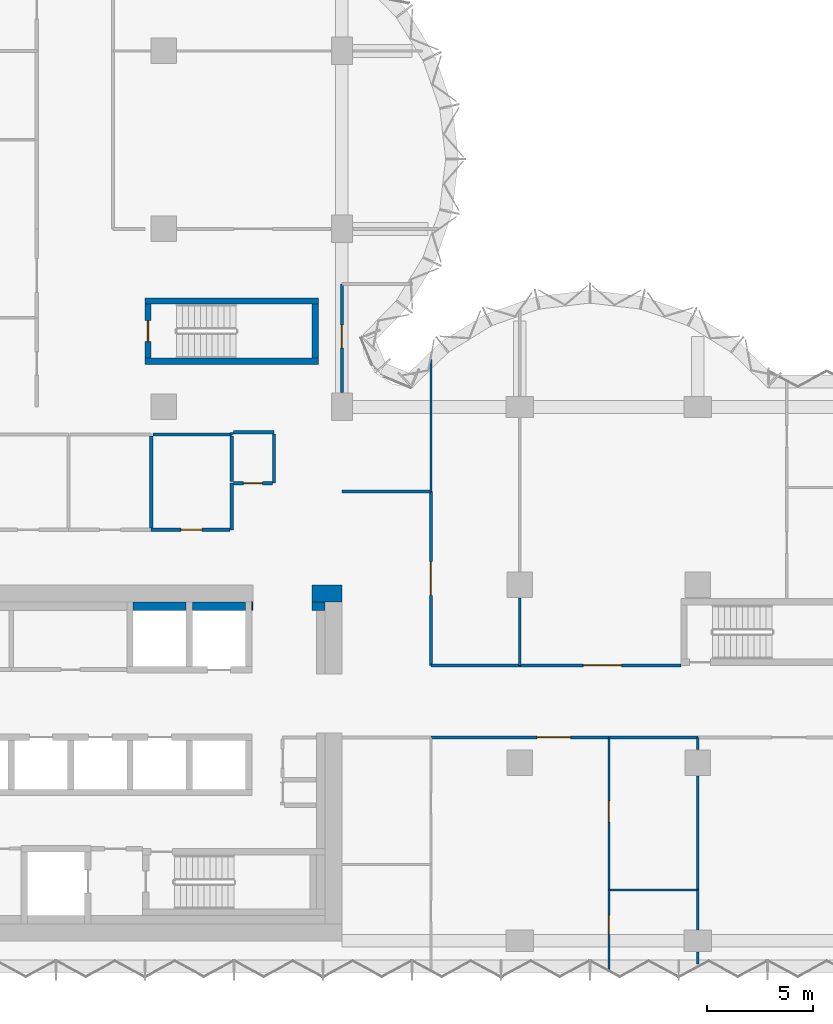
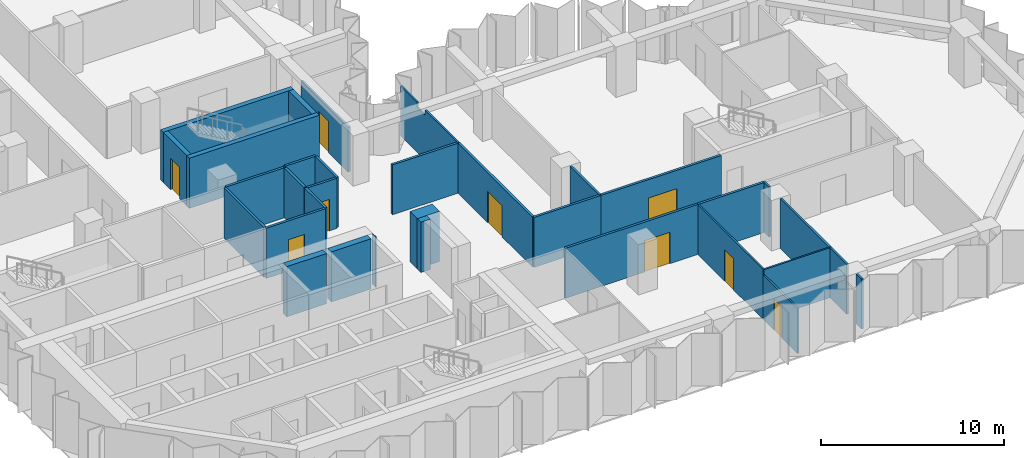
# One storey, part 7 of 11: 34 walls, 9 doors, 9 openings.
"""IFC4 building model written with IfcOpenShell, lengths in metres."""

from ifc_helpers import new_model, si_unit, direction, frame, frame_2d, origin, place, context, subcontext, project, spatial, polyline, rectangle, outline, extrude, material, layer, layer_set, type_object, element, fill, save


model = new_model("IFC4")

# Units and contexts
model_context = context("Model", 3, precision=1e-05, world=origin(), true_north=direction((0.0, 1.0)))
body_context = subcontext(model_context, "Body", "Model", "MODEL_VIEW")
ifc_project = project(units=[si_unit("LENGTHUNIT", "METRE"), si_unit("AREAUNIT", "SQUARE_METRE"), si_unit("VOLUMEUNIT", "CUBIC_METRE"), si_unit("PLANEANGLEUNIT", "RADIAN"), si_unit("MASSUNIT", "GRAM", prefix="KILO")], contexts=[model_context])

# Site, building, storey
site_placement = place(None, origin())
site = spatial("IfcSite", under=ifc_project, at=site_placement, CompositionType="ELEMENT")
building_placement = place(site_placement, origin())
building = spatial("IfcBuilding", under=site, at=building_placement, Name="Brevane Broadcast Tower", CompositionType="ELEMENT")
storey_placement = place(building_placement, frame((0.0, 0.0, 138.5)))
storey = spatial("IfcBuildingStorey", under=building, at=storey_placement, Name="L34", CompositionType="ELEMENT", Elevation=138.5)

# Walls
ifc_material_1 = material(Name="Concrete C32/40", Category="concrete")
ifc_layer_1 = layer(ifc_material_1, 0.39990234375)
ifc_layer_set_1 = layer_set([ifc_layer_1], Name="Core chase wall 400 mm")
wall_type_1 = type_object("IfcWallType", Name="Core chase wall 400 mm", PredefinedType="PARTITIONING", material=ifc_layer_set_1)
wall_1_placement = place(storey_placement, frame((23.800048828125, 15.800048828125, 0.0), z_axis=(0.0, 0.0, 1.0), x_axis=(1.0, 0.0, 0.0)))
element("IfcWall", 1, at=wall_1_placement, inside=storey, type_object=wall_type_1, Name="L34 chase wall LN2", PredefinedType="PARTITIONING", context=body_context, shape_type="SweptSolid", body=[
    extrude(rectangle(XDim=0.599853515625, YDim=0.39990234375, at=frame_2d((0.2998046875, 0.0))), origin(), (0.0, 0.0, 1.0), 3.35009765625),
])
for number, where, z_axis, x_axis, name in (
    (2, (15.35009765625, 15.800048828125, 0.0), (0.0, 0.0, 1.0), (1.0, 0.0, 0.0), "L34 chase wall LN1-2-2-1"),
    (3, (18.14990234375, 15.800048828125, 0.0), (0.0, 0.0, 1.0), (1.0, 0.0, 0.0), "L34 chase wall LN1-2-2-2-1"),
):
    element("IfcWall", number, at=place(storey_placement, frame(where, z_axis=z_axis, x_axis=x_axis)), inside=storey, type_object=wall_type_1, Name=name, PredefinedType="PARTITIONING", context=body_context, shape_type="SweptSolid", body=[
        extrude(rectangle(XDim=2.5, YDim=0.39990234375, at=frame_2d((1.25, 0.0))), origin(), (0.0, 0.0, 1.0), 3.35009765625),
    ])
wall_2_placement = place(storey_placement, frame((20.949951171875, 15.800048828125, 0.0), z_axis=(0.0, 0.0, 1.0), x_axis=(1.0, 0.0, 0.0)))
element("IfcWall", 4, at=wall_2_placement, inside=storey, type_object=wall_type_1, Name="L34 chase wall LN1-2-2-2-2", PredefinedType="PARTITIONING", context=body_context, shape_type="SweptSolid", body=[
    extrude(rectangle(XDim=0.050048828125, YDim=0.39990234375, at=frame_2d((0.02490234375, 0.0))), origin(), (0.0, 0.0, 1.0), 3.35009765625),
])
ifc_material_2 = material(Name="Gypsum board on steel studs", Category="steel")
ifc_layer_2 = layer(ifc_material_2, 0.14990234375)
ifc_layer_set_2 = layer_set([ifc_layer_2], Name="Core fire partition 150 mm")
wall_type_2 = type_object("IfcWallType", Name="Core fire partition 150 mm", PredefinedType="PARTITIONING", material=ifc_layer_set_2)
wall_3_placement = place(storey_placement, frame((20.0, 21.60009765625, 0.0), z_axis=(0.0, 0.0, 1.0), x_axis=(0.0, -1.0, 0.0)))
element("IfcWall", 5, at=wall_3_placement, inside=storey, type_object=wall_type_2, Name="L34 partition wall P22", PredefinedType="PARTITIONING", context=body_context, shape_type="SweptSolid", body=[
    extrude(rectangle(XDim=2.2001953125, YDim=0.14990234375, at=frame_2d((1.10009765625, 0.0))), origin(), (0.0, 0.0, 1.0), 3.35009765625),
])

# Wall, opening, door
wall_4_placement = place(storey_placement, frame((19.925048828125, 19.39990234375, 0.0), z_axis=(0.0, 0.0, 1.0), x_axis=(-1.0, 0.0, 0.0)))
wall_4 = element("IfcWall", 6, at=wall_4_placement, inside=storey, type_object=wall_type_2, Name="L34 partition wall P23", PredefinedType="PARTITIONING", context=body_context, shape_type="SweptSolid", body=[
    extrude(rectangle(XDim=3.72509765625, YDim=0.14990234375, at=frame_2d((1.862548828125, 0.0))), origin(), (0.0, 0.0, 1.0), 3.35009765625),
])
opening_1_placement = place(wall_4_placement, frame((1.324951171875, 0.0, 0.0)))
opening_1 = element("IfcOpeningElement", 7, at=opening_1_placement, cuts=wall_4, Name="Opening L34-K27", PredefinedType="OPENING", context=body_context, shape_type="SweptSolid", body=[
    extrude(rectangle(XDim=1.0, YDim=2.10009765625, at=frame_2d((0.5, 1.050048828125))), frame((0.0, 0.0849609375, 0.0), z_axis=(0.0, -1.0, 0.0), x_axis=(1.0, 0.0, 0.0)), (0.0, 0.0, 1.0), 0.169921875),
])
ifc_material_3 = material(Name="Steel", Category="steel")
door_type_1 = type_object("IfcDoorType", Name="Service room door 1000 x 2100", OperationType="SINGLE_SWING_LEFT", PredefinedType="DOOR", material=ifc_material_3)
door_1_placement = place(opening_1_placement, origin())
door_1 = element("IfcDoor", 8, at=door_1_placement, inside=storey, type_object=door_type_1, Name="Door L34-K27", OperationType="SINGLE_SWING_LEFT", OverallHeight=2.10009765625, OverallWidth=1.0, PredefinedType="DOOR", context=body_context, shape_type="SweptSolid", body=[
    extrude(rectangle(XDim=1.0, YDim=2.10009765625, at=frame_2d((0.5, 1.050048828125))), frame((0.0, 0.02490234375, 0.0), z_axis=(0.0, -1.0, 0.0), x_axis=(1.0, 0.0, 0.0)), (0.0, 0.0, 1.0), 0.050048828125),
])
fill(opening_1, door_1)

# Walls
wall_5_placement = place(storey_placement, frame((16.199951171875, 23.824951171875, 0.0), z_axis=(0.0, 0.0, 1.0), x_axis=(0.0, -1.0, 0.0)))
element("IfcWall", 9, at=wall_5_placement, inside=storey, type_object=wall_type_2, Name="L34 partition wall P24", PredefinedType="PARTITIONING", context=body_context, shape_type="SweptSolid", body=[
    extrude(rectangle(XDim=4.349853515625, YDim=0.14990234375, at=frame_2d((2.1748046875, 0.0))), origin(), (0.0, 0.0, 1.0), 3.35009765625),
])
wall_6_placement = place(storey_placement, frame((16.27490234375, 23.89990234375, 0.0), z_axis=(0.0, 0.0, 1.0), x_axis=(1.0, 0.0, 0.0)))
element("IfcWall", 10, at=wall_6_placement, inside=storey, type_object=wall_type_2, Name="L34 partition wall P25", PredefinedType="PARTITIONING", context=body_context, shape_type="SweptSolid", body=[
    extrude(rectangle(XDim=3.72509765625, YDim=0.14990234375, at=frame_2d((1.862548828125, 0.0))), origin(), (0.0, 0.0, 1.0), 3.35009765625),
])
wall_7_placement = place(storey_placement, frame((20.0, 23.89990234375, 0.0), z_axis=(0.0, 0.0, 1.0), x_axis=(0.0, 1.0, 0.0)))
element("IfcWall", 11, at=wall_7_placement, inside=storey, type_object=wall_type_2, Name="L34 partition wall P26", PredefinedType="PARTITIONING", context=body_context, shape_type="SweptSolid", body=[
    extrude(rectangle(XDim=0.10009765625, YDim=0.14990234375, at=frame_2d((0.050048828125, 0.0))), origin(), (0.0, 0.0, 1.0), 3.35009765625),
])
wall_8_placement = place(storey_placement, frame((20.074951171875, 24.0, 0.0), z_axis=(0.0, 0.0, 1.0), x_axis=(1.0, 0.0, 0.0)))
element("IfcWall", 12, at=wall_8_placement, inside=storey, type_object=wall_type_2, Name="L34 partition wall P27", PredefinedType="PARTITIONING", context=body_context, shape_type="SweptSolid", body=[
    extrude(rectangle(XDim=1.925048828125, YDim=0.14990234375, at=frame_2d((0.96240234375, 0.0))), origin(), (0.0, 0.0, 1.0), 3.35009765625),
])
wall_9_placement = place(storey_placement, frame((22.0, 23.925048828125, 0.0), z_axis=(0.0, 0.0, 1.0), x_axis=(0.0, -1.0, 0.0)))
element("IfcWall", 13, at=wall_9_placement, inside=storey, type_object=wall_type_2, Name="L34 partition wall P28", PredefinedType="PARTITIONING", context=body_context, shape_type="SweptSolid", body=[
    extrude(rectangle(XDim=2.324951171875, YDim=0.14990234375, at=frame_2d((1.16259765625, 0.0))), origin(), (0.0, 0.0, 1.0), 3.35009765625),
])

# Wall, opening, door
wall_10_placement = place(storey_placement, frame((21.925048828125, 21.60009765625, 0.0), z_axis=(0.0, 0.0, 1.0), x_axis=(-1.0, 0.0, 0.0)))
wall_10 = element("IfcWall", 14, at=wall_10_placement, inside=storey, type_object=wall_type_2, Name="L34 partition wall P29", PredefinedType="PARTITIONING", context=body_context, shape_type="SweptSolid", body=[
    extrude(rectangle(XDim=1.85009765625, YDim=0.14990234375, at=frame_2d((0.925048828125, 0.0))), origin(), (0.0, 0.0, 1.0), 3.35009765625),
])
opening_2_placement = place(wall_10_placement, frame((0.47509765625, 0.0, 0.0)))
opening_2 = element("IfcOpeningElement", 15, at=opening_2_placement, cuts=wall_10, Name="Opening L34-K24", PredefinedType="OPENING", context=body_context, shape_type="SweptSolid", body=[
    extrude(rectangle(XDim=0.89990234375, YDim=2.10009765625, at=frame_2d((0.449951171875, 1.050048828125))), frame((0.0, 0.0849609375, 0.0), z_axis=(0.0, -1.0, 0.0), x_axis=(1.0, 0.0, 0.0)), (0.0, 0.0, 1.0), 0.169921875),
])
ifc_material_4 = material(Name="Timber", Category="wood")
door_type_2 = type_object("IfcDoorType", Name="Toilet door 900 x 2100", OperationType="SINGLE_SWING_LEFT", PredefinedType="DOOR", material=ifc_material_4)
door_2_placement = place(opening_2_placement, origin())
door_2 = element("IfcDoor", 16, at=door_2_placement, inside=storey, type_object=door_type_2, Name="Door L34-K24", OperationType="SINGLE_SWING_RIGHT", OverallHeight=2.10009765625, OverallWidth=0.89990234375, PredefinedType="DOOR", context=body_context, shape_type="SweptSolid", body=[
    extrude(rectangle(XDim=0.89990234375, YDim=2.10009765625, at=frame_2d((0.449951171875, 1.050048828125))), frame((0.0, 0.02490234375, 0.0), z_axis=(0.0, -1.0, 0.0), x_axis=(1.0, 0.0, 0.0)), (0.0, 0.0, 1.0), 0.050048828125),
])
fill(opening_2, door_2)

# Walls
wall_11_placement = place(storey_placement, frame((20.0, 21.675048828125, 0.0), z_axis=(0.0, 0.0, 1.0), x_axis=(0.0, 1.0, 0.0)))
element("IfcWall", 17, at=wall_11_placement, inside=storey, type_object=wall_type_2, Name="L34 partition wall P30", PredefinedType="PARTITIONING", context=body_context, shape_type="SweptSolid", body=[
    extrude(rectangle(XDim=2.14990234375, YDim=0.14990234375, at=frame_2d((1.074951171875, 0.0))), origin(), (0.0, 0.0, 1.0), 3.35009765625),
])
ifc_material_5 = material(Name="Concrete C60/75", Category="concrete")
ifc_layer_3 = layer(ifc_material_5, 0.300048828125)
ifc_layer_set_3 = layer_set([ifc_layer_3], Name="Core wall 300 mm C60/75")
wall_type_3 = type_object("IfcWallType", Name="Core wall 300 mm C60/75", PredefinedType="SHEAR", material=ifc_layer_set_3)
for number, where, z_axis, x_axis, name in (
    (18, (15.89990234375, 27.35009765625, 0.0), (0.0, 0.0, 1.0), (1.0, 0.0, 0.0), "L34 stair wall ST-3-S"),
    (19, (15.89990234375, 30.199951171875, 0.0), (0.0, 0.0, 1.0), (1.0, 0.0, 0.0), "L34 stair wall ST-3-N"),
):
    element("IfcWall", number, at=place(storey_placement, frame(where, z_axis=z_axis, x_axis=x_axis)), inside=storey, type_object=wall_type_3, Name=name, PredefinedType="SHEAR", context=body_context, shape_type="SweptSolid", body=[
        extrude(rectangle(XDim=8.2001953125, YDim=0.300048828125, at=frame_2d((4.10009765625, 0.0))), origin(), (0.0, 0.0, 1.0), 3.35009765625),
    ])

# Wall, opening, door
wall_12_placement = place(storey_placement, frame((16.050048828125, 27.5, 0.0), z_axis=(0.0, 0.0, 1.0), x_axis=(0.0, 1.0, 0.0)))
wall_12 = element("IfcWall", 20, at=wall_12_placement, inside=storey, type_object=wall_type_3, Name="L34 stair wall ST-3-W", PredefinedType="SHEAR", context=body_context, shape_type="SweptSolid", body=[
    extrude(rectangle(XDim=2.550048828125, YDim=0.300048828125, at=frame_2d((1.27490234375, 0.0))), origin(), (0.0, 0.0, 1.0), 3.35009765625),
])
opening_3_placement = place(wall_12_placement, frame((0.77490234375, 0.0, 0.0)))
opening_3 = element("IfcOpeningElement", 21, at=opening_3_placement, cuts=wall_12, Name="Opening L34-K14", PredefinedType="OPENING", context=body_context, shape_type="SweptSolid", body=[
    extrude(rectangle(XDim=1.0, YDim=2.10009765625, at=frame_2d((0.5, 1.050048828125))), frame((0.0, 0.159912109375, 0.0), z_axis=(0.0, -1.0, 0.0), x_axis=(1.0, 0.0, 0.0)), (0.0, 0.0, 1.0), 0.320068359375),
])
door_type_3 = type_object("IfcDoorType", Name="Stair door 1000 x 2100", OperationType="SINGLE_SWING_LEFT", PredefinedType="DOOR", material=ifc_material_3)
door_3_placement = place(opening_3_placement, origin())
door_3 = element("IfcDoor", 22, at=door_3_placement, inside=storey, type_object=door_type_3, Name="Door L34-K14", OperationType="SINGLE_SWING_RIGHT", OverallHeight=2.10009765625, OverallWidth=1.0, PredefinedType="DOOR", context=body_context, shape_type="SweptSolid", body=[
    extrude(rectangle(XDim=1.0, YDim=2.10009765625, at=frame_2d((0.5, 1.050048828125))), frame((0.0, 0.02490234375, 0.0), z_axis=(0.0, -1.0, 0.0), x_axis=(1.0, 0.0, 0.0)), (0.0, 0.0, 1.0), 0.050048828125),
])
fill(opening_3, door_3)

# Walls
wall_13_placement = place(storey_placement, frame((23.949951171875, 27.5, 0.0), z_axis=(0.0, 0.0, 1.0), x_axis=(0.0, 1.0, 0.0)))
element("IfcWall", 23, at=wall_13_placement, inside=storey, type_object=wall_type_3, Name="L34 stair wall ST-3-E", PredefinedType="SHEAR", context=body_context, shape_type="SweptSolid", body=[
    extrude(rectangle(XDim=2.550048828125, YDim=0.300048828125, at=frame_2d((1.27490234375, 0.0))), origin(), (0.0, 0.0, 1.0), 3.35009765625),
])
ifc_layer_4 = layer(ifc_material_5, 0.800048828125)
ifc_layer_set_4 = layer_set([ifc_layer_4], Name="Core wall 800 mm C60/75")
wall_type_4 = type_object("IfcWallType", Name="Core wall 800 mm C60/75", PredefinedType="SHEAR", material=ifc_layer_set_4)
wall_14_placement = place(storey_placement, frame((23.800048828125, 16.39990234375, 0.0), z_axis=(0.0, 0.0, 1.0), x_axis=(1.0, 0.0, 0.0)))
element("IfcWall", 24, at=wall_14_placement, inside=storey, type_object=wall_type_4, Name="L34 outer wall WN2", PredefinedType="SHEAR", context=body_context, shape_type="SweptSolid", body=[
    extrude(rectangle(XDim=1.39990234375, YDim=0.800048828125, at=frame_2d((0.699951171875, 0.0))), origin(), (0.0, 0.0, 1.0), 3.35009765625),
])
ifc_material_6 = material(Name="Gypsum board partition")
ifc_layer_5 = layer(ifc_material_6, 0.10009765625)
ifc_layer_set_5 = layer_set([ifc_layer_5], Name="PARTITION 100 STUD")
wall_type_5 = type_object("IfcWallType", Name="PARTITION 100 STUD", PredefinedType="PARTITIONING", material=ifc_layer_set_5)
wall_15_placement = place(storey_placement, frame((29.39990234375, 27.428955078125, 0.0), z_axis=(0.0, 0.0, 1.0), x_axis=(0.0, -1.0, 0.0)))
element("IfcWall", 25, at=wall_15_placement, inside=storey, type_object=wall_type_5, Name="Partition G10-004", PredefinedType="PARTITIONING", context=body_context, shape_type="SweptSolid", body=[
    extrude(outline(polyline([(0.0, 0.0), (6.22900390625, 0.0), (6.22900390625, 3.330078125), (2.678955078125, 3.330078125), (2.677001953125, 2.97998046875), (1.781005859375, 2.97998046875), (1.779052734375, 3.330078125), (0.154052734375, 3.330078125), (0.0, 3.330078125), (0.0, 0.0)])), frame((0.0, 0.050048828125, 0.0), z_axis=(0.0, -1.0, 0.0), x_axis=(1.0, 0.0, 0.0)), (0.0, 0.0, 1.0), 0.10009765625),
])

# Wall, opening, door
wall_16_placement = place(storey_placement, frame((37.800048828125, 2.39990234375, 0.0), z_axis=(0.0, 0.0, 1.0), x_axis=(0.0, -1.0, 0.0)))
wall_16 = element("IfcWall", 26, at=wall_16_placement, inside=storey, type_object=wall_type_5, Name="Partition G10-021", PredefinedType="PARTITIONING", context=body_context, shape_type="SweptSolid", body=[
    extrude(rectangle(XDim=3.764892578125, YDim=0.10009765625, at=frame_2d((1.88232421875, 0.0))), origin(), (0.0, 0.0, 1.0), 2.97998046875),
])
opening_4_placement = place(wall_16_placement, frame((1.199951171875, 0.0, 0.0)))
opening_4 = element("IfcOpeningElement", 27, at=opening_4_placement, cuts=wall_16, Name="Opening D17-004", PredefinedType="OPENING", context=body_context, shape_type="SweptSolid", body=[
    extrude(rectangle(XDim=0.89990234375, YDim=2.10009765625, at=frame_2d((0.449951171875, 1.050048828125))), frame((0.0, 0.06005859375, 0.0), z_axis=(0.0, -1.0, 0.0), x_axis=(1.0, 0.0, 0.0)), (0.0, 0.0, 1.0), 0.1201171875),
])
ifc_material_7 = material(Name="Timber door leaf", Category="wood")
door_type_4 = type_object("IfcDoorType", Name="DOOR SINGLE 900 INTERNAL", OperationType="SINGLE_SWING_LEFT", PredefinedType="DOOR", material=ifc_material_7)
door_4_placement = place(opening_4_placement, origin())
door_4 = element("IfcDoor", 28, at=door_4_placement, inside=storey, type_object=door_type_4, Name="Door D17-004", OperationType="SINGLE_SWING_LEFT", OverallHeight=2.10009765625, OverallWidth=0.89990234375, PredefinedType="DOOR", context=body_context, shape_type="SweptSolid", body=[
    extrude(rectangle(XDim=0.89990234375, YDim=2.10009765625, at=frame_2d((0.449951171875, 1.050048828125))), frame((0.0, 0.02490234375, 0.0), z_axis=(0.0, -1.0, 0.0), x_axis=(1.0, 0.0, 0.0)), (0.0, 0.0, 1.0), 0.050048828125),
])
fill(opening_4, door_4)

wall_17_placement = place(storey_placement, frame((37.800048828125, 9.60009765625, 0.0), z_axis=(0.0, 0.0, 1.0), x_axis=(0.0, -1.0, 0.0)))
wall_17 = element("IfcWall", 29, at=wall_17_placement, inside=storey, type_object=wall_type_5, Name="Partition G10-022", PredefinedType="PARTITIONING", context=body_context, shape_type="SweptSolid", body=[
    extrude(rectangle(XDim=7.2001953125, YDim=0.10009765625, at=frame_2d((3.60009765625, 0.0))), origin(), (0.0, 0.0, 1.0), 3.330078125),
])
opening_5_placement = place(wall_17_placement, frame((3.0, 0.0, 0.0)))
opening_5 = element("IfcOpeningElement", 30, at=opening_5_placement, cuts=wall_17, Name="Opening D17-005", PredefinedType="OPENING", context=body_context, shape_type="SweptSolid", body=[
    extrude(rectangle(XDim=1.0, YDim=2.10009765625, at=frame_2d((0.5, 1.050048828125))), frame((0.0, 0.06005859375, 0.0), z_axis=(0.0, -1.0, 0.0), x_axis=(1.0, 0.0, 0.0)), (0.0, 0.0, 1.0), 0.1201171875),
])
door_type_5 = type_object("IfcDoorType", Name="DOOR SINGLE 1000 INTERNAL", OperationType="SINGLE_SWING_LEFT", PredefinedType="DOOR", material=ifc_material_7)
door_5_placement = place(opening_5_placement, origin())
door_5 = element("IfcDoor", 31, at=door_5_placement, inside=storey, type_object=door_type_5, Name="Door D17-005", OperationType="SINGLE_SWING_LEFT", OverallHeight=2.10009765625, OverallWidth=1.0, PredefinedType="DOOR", context=body_context, shape_type="SweptSolid", body=[
    extrude(rectangle(XDim=1.0, YDim=2.10009765625, at=frame_2d((0.5, 1.050048828125))), frame((0.0, 0.02490234375, 0.0), z_axis=(0.0, -1.0, 0.0), x_axis=(1.0, 0.0, 0.0)), (0.0, 0.0, 1.0), 0.050048828125),
])
fill(opening_5, door_5)

# Walls
wall_18_placement = place(storey_placement, frame((37.800048828125, 2.39990234375, 0.0), z_axis=(0.0, 0.0, 1.0), x_axis=(1.0, 0.0, 0.0)))
element("IfcWall", 32, at=wall_18_placement, inside=storey, type_object=wall_type_5, Name="Partition G10-025", PredefinedType="PARTITIONING", context=body_context, shape_type="SweptSolid", body=[
    extrude(rectangle(XDim=4.199951171875, YDim=0.10009765625, at=frame_2d((2.10009765625, 0.0))), origin(), (0.0, 0.0, 1.0), 3.330078125),
])
ifc_layer_6 = layer(ifc_material_6, 0.125)
ifc_layer_set_6 = layer_set([ifc_layer_6], Name="PARTITION 125 ACOUSTIC")
wall_type_6 = type_object("IfcWallType", Name="PARTITION 125 ACOUSTIC", PredefinedType="PARTITIONING", material=ifc_layer_set_6)
wall_19_placement = place(storey_placement, frame((42.0, 2.39990234375, 0.0), z_axis=(0.0, 0.0, 1.0), x_axis=(0.0, -1.0, 0.0)))
element("IfcWall", 33, at=wall_19_placement, inside=storey, type_object=wall_type_6, Name="Partition G10-026", PredefinedType="PARTITIONING", context=body_context, shape_type="SweptSolid", body=[
    extrude(rectangle(XDim=1.8798828125, YDim=0.125, at=frame_2d((0.93994140625, 0.0))), origin(), (0.0, 0.0, 1.0), 3.330078125),
])
for number, where, z_axis, x_axis, name in (
    (34, (42.0, -0.52001953125, 0.0), (0.0, 0.0, 1.0), (0.0, -1.0, 0.0), "Partition G10-027"),
    (35, (42.0, 9.60009765625, 0.0), (0.0, 0.0, 1.0), (0.0, -1.0, 0.0), "Partition G10-028"),
):
    element("IfcWall", number, at=place(storey_placement, frame(where, z_axis=z_axis, x_axis=x_axis)), inside=storey, type_object=wall_type_6, Name=name, PredefinedType="PARTITIONING", context=body_context, shape_type="SweptSolid", body=[
        extrude(rectangle(XDim=0.580078125, YDim=0.125, at=frame_2d((0.2900390625, 0.0))), origin(), (0.0, 0.0, 1.0), 3.330078125),
    ])
wall_20_placement = place(storey_placement, frame((42.0, 7.780029296875, 0.0), z_axis=(0.0, 0.0, 1.0), x_axis=(0.0, -1.0, 0.0)))
element("IfcWall", 36, at=wall_20_placement, inside=storey, type_object=wall_type_6, Name="Partition G10-029", PredefinedType="PARTITIONING", context=body_context, shape_type="SweptSolid", body=[
    extrude(rectangle(XDim=5.380126953125, YDim=0.125, at=frame_2d((2.68994140625, 0.0))), origin(), (0.0, 0.0, 1.0), 3.330078125),
])
wall_21_placement = place(storey_placement, frame((33.60009765625, 16.179931640625, 0.0), z_axis=(0.0, 0.0, 1.0), x_axis=(0.0, -1.0, 0.0)))
element("IfcWall", 37, at=wall_21_placement, inside=storey, type_object=wall_type_6, Name="Partition G10-033", PredefinedType="PARTITIONING", context=body_context, shape_type="SweptSolid", body=[
    extrude(rectangle(XDim=3.179931640625, YDim=0.125, at=frame_2d((1.58984375, 0.0))), origin(), (0.0, 0.0, 1.0), 3.330078125),
])
ifc_layer_7 = layer(ifc_material_6, 0.14990234375)
ifc_layer_set_7 = layer_set([ifc_layer_7], Name="PARTITION 150 EI 60")
wall_type_7 = type_object("IfcWallType", Name="PARTITION 150 EI 60", PredefinedType="PARTITIONING", material=ifc_layer_set_7)
wall_22_placement = place(storey_placement, frame((25.199951171875, 21.199951171875, 0.0), z_axis=(0.0, 0.0, 1.0), x_axis=(1.0, 0.0, 0.0)))
element("IfcWall", 38, at=wall_22_placement, inside=storey, type_object=wall_type_7, Name="Partition G10-001", PredefinedType="PARTITIONING", context=body_context, shape_type="SweptSolid", body=[
    extrude(rectangle(XDim=4.199951171875, YDim=0.14990234375, at=frame_2d((2.10009765625, 0.0))), origin(), (0.0, 0.0, 1.0), 3.330078125),
])

# Wall, opening, door
wall_23_placement = place(storey_placement, frame((29.39990234375, 21.199951171875, 0.0), z_axis=(0.0, 0.0, 1.0), x_axis=(0.0, -1.0, 0.0)))
wall_23 = element("IfcWall", 39, at=wall_23_placement, inside=storey, type_object=wall_type_7, Name="Partition G10-003", PredefinedType="PARTITIONING", context=body_context, shape_type="SweptSolid", body=[
    extrude(rectangle(XDim=8.199951171875, YDim=0.14990234375, at=frame_2d((4.10009765625, 0.0))), origin(), (0.0, 0.0, 1.0), 3.330078125),
])
opening_6_placement = place(wall_23_placement, frame((3.300048828125, 0.0, 0.0)))
opening_6 = element("IfcOpeningElement", 40, at=opening_6_placement, cuts=wall_23, Name="Opening D17-009", PredefinedType="OPENING", context=body_context, shape_type="SweptSolid", body=[
    extrude(rectangle(XDim=1.60009765625, YDim=2.10009765625, at=frame_2d((0.800048828125, 1.050048828125))), frame((0.0, 0.0849609375, 0.0), z_axis=(0.0, -1.0, 0.0), x_axis=(1.0, 0.0, 0.0)), (0.0, 0.0, 1.0), 0.169921875),
])
ifc_material_8 = material(Name="Fire-rated timber door leaf", Category="wood")
door_type_6 = type_object("IfcDoorType", Name="DOOR DOUBLE 1600 FD30S", OperationType="DOUBLE_DOOR_SINGLE_SWING", PredefinedType="DOOR", material=ifc_material_8)
door_6_placement = place(opening_6_placement, origin())
door_6 = element("IfcDoor", 41, at=door_6_placement, inside=storey, type_object=door_type_6, Name="Door D17-009", OperationType="DOUBLE_DOOR_SINGLE_SWING", OverallHeight=2.10009765625, OverallWidth=1.60009765625, PredefinedType="DOOR", context=body_context, shape_type="SweptSolid", body=[
    extrude(rectangle(XDim=1.60009765625, YDim=2.10009765625, at=frame_2d((0.800048828125, 1.050048828125))), frame((0.0, 0.02490234375, 0.0), z_axis=(0.0, -1.0, 0.0), x_axis=(1.0, 0.0, 0.0)), (0.0, 0.0, 1.0), 0.050048828125),
])
fill(opening_6, door_6)

wall_24_placement = place(storey_placement, frame((25.199951171875, 31.0, 0.0), z_axis=(0.0, 0.0, 1.0), x_axis=(0.0, -1.0, 0.0)))
wall_24 = element("IfcWall", 42, at=wall_24_placement, inside=storey, type_object=wall_type_7, Name="Partition G10-005", PredefinedType="PARTITIONING", context=body_context, shape_type="SweptSolid", body=[
    extrude(outline(polyline([(0.0, 0.0), (5.1298828125, 0.0), (5.1298828125, 2.97998046875), (0.0, 2.97998046875), (0.0, 0.0)])), frame((0.0, 0.074951171875, 0.0), z_axis=(0.0, -1.0, 0.0), x_axis=(1.0, 0.0, 0.0)), (0.0, 0.0, 1.0), 0.14990234375),
])
opening_7_placement = place(wall_24_placement, frame((1.929931640625, 0.0, 0.0)))
opening_7 = element("IfcOpeningElement", 43, at=opening_7_placement, cuts=wall_24, Name="Opening D17-001", PredefinedType="OPENING", context=body_context, shape_type="SweptSolid", body=[
    extrude(rectangle(XDim=1.10009765625, YDim=2.10009765625, at=frame_2d((0.550048828125, 1.050048828125))), frame((0.0, 0.0849609375, 0.0), z_axis=(0.0, -1.0, 0.0), x_axis=(1.0, 0.0, 0.0)), (0.0, 0.0, 1.0), 0.169921875),
])
door_type_7 = type_object("IfcDoorType", Name="DOOR SINGLE 1100 FD30S", OperationType="SINGLE_SWING_LEFT", PredefinedType="DOOR", material=ifc_material_8)
door_7_placement = place(opening_7_placement, origin())
door_7 = element("IfcDoor", 44, at=door_7_placement, inside=storey, type_object=door_type_7, Name="Door D17-001", OperationType="SINGLE_SWING_RIGHT", OverallHeight=2.10009765625, OverallWidth=1.10009765625, PredefinedType="DOOR", context=body_context, shape_type="SweptSolid", body=[
    extrude(rectangle(XDim=1.10009765625, YDim=2.10009765625, at=frame_2d((0.550048828125, 1.050048828125))), frame((0.0, 0.02490234375, 0.0), z_axis=(0.0, -1.0, 0.0), x_axis=(1.0, 0.0, 0.0)), (0.0, 0.0, 1.0), 0.050048828125),
])
fill(opening_7, door_7)

wall_25_placement = place(storey_placement, frame((37.800048828125, 9.60009765625, 0.0), z_axis=(0.0, 0.0, 1.0), x_axis=(-1.0, 0.0, 0.0)))
wall_25 = element("IfcWall", 45, at=wall_25_placement, inside=storey, type_object=wall_type_7, Name="Partition G10-008", PredefinedType="PARTITIONING", context=body_context, shape_type="SweptSolid", body=[
    extrude(rectangle(XDim=8.400146484375, YDim=0.14990234375, at=frame_2d((4.2001953125, 0.0))), origin(), (0.0, 0.0, 1.0), 3.330078125),
])
opening_8_placement = place(wall_25_placement, frame((1.800048828125, 0.0, 0.0)))
opening_8 = element("IfcOpeningElement", 46, at=opening_8_placement, cuts=wall_25, Name="Opening D17-003", PredefinedType="OPENING", context=body_context, shape_type="SweptSolid", body=[
    extrude(rectangle(XDim=1.60009765625, YDim=2.10009765625, at=frame_2d((0.800048828125, 1.050048828125))), frame((0.0, 0.0849609375, 0.0), z_axis=(0.0, -1.0, 0.0), x_axis=(1.0, 0.0, 0.0)), (0.0, 0.0, 1.0), 0.169921875),
])
door_8_placement = place(opening_8_placement, origin())
door_8 = element("IfcDoor", 47, at=door_8_placement, inside=storey, type_object=door_type_6, Name="Door D17-003", OperationType="DOUBLE_DOOR_SINGLE_SWING", OverallHeight=2.10009765625, OverallWidth=1.60009765625, PredefinedType="DOOR", context=body_context, shape_type="SweptSolid", body=[
    extrude(rectangle(XDim=1.60009765625, YDim=2.10009765625, at=frame_2d((0.800048828125, 1.050048828125))), frame((0.0, 0.02490234375, 0.0), z_axis=(0.0, -1.0, 0.0), x_axis=(1.0, 0.0, 0.0)), (0.0, 0.0, 1.0), 0.050048828125),
])
fill(opening_8, door_8)

# Walls
wall_26_placement = place(storey_placement, frame((42.0, 9.60009765625, 0.0), z_axis=(0.0, 0.0, 1.0), x_axis=(-1.0, 0.0, 0.0)))
element("IfcWall", 48, at=wall_26_placement, inside=storey, type_object=wall_type_7, Name="Partition G10-009", PredefinedType="PARTITIONING", context=body_context, shape_type="SweptSolid", body=[
    extrude(rectangle(XDim=4.199951171875, YDim=0.14990234375, at=frame_2d((2.10009765625, 0.0))), origin(), (0.0, 0.0, 1.0), 3.330078125),
])
wall_27_placement = place(storey_placement, frame((29.39990234375, 13.0, 0.0), z_axis=(0.0, 0.0, 1.0), x_axis=(1.0, 0.0, 0.0)))
element("IfcWall", 49, at=wall_27_placement, inside=storey, type_object=wall_type_7, Name="Partition G10-011", PredefinedType="PARTITIONING", context=body_context, shape_type="SweptSolid", body=[
    extrude(rectangle(XDim=4.2001953125, YDim=0.14990234375, at=frame_2d((2.10009765625, 0.0))), origin(), (0.0, 0.0, 1.0), 3.330078125),
])

# Wall, opening, door
wall_28_placement = place(storey_placement, frame((33.60009765625, 13.0, 0.0), z_axis=(0.0, 0.0, 1.0), x_axis=(1.0, 0.0, 0.0)))
wall_28 = element("IfcWall", 50, at=wall_28_placement, inside=storey, type_object=wall_type_7, Name="Partition G10-012", PredefinedType="PARTITIONING", context=body_context, shape_type="SweptSolid", body=[
    extrude(rectangle(XDim=7.599853515625, YDim=0.14990234375, at=frame_2d((3.7998046875, 0.0))), origin(), (0.0, 0.0, 1.0), 3.330078125),
])
opening_9_placement = place(wall_28_placement, frame((3.0, 0.0, 0.0)))
opening_9 = element("IfcOpeningElement", 51, at=opening_9_placement, cuts=wall_28, Name="Opening D17-010", PredefinedType="OPENING", context=body_context, shape_type="SweptSolid", body=[
    extrude(rectangle(XDim=1.800048828125, YDim=2.10009765625, at=frame_2d((0.89990234375, 1.050048828125))), frame((0.0, 0.0849609375, 0.0), z_axis=(0.0, -1.0, 0.0), x_axis=(1.0, 0.0, 0.0)), (0.0, 0.0, 1.0), 0.169921875),
])
door_type_8 = type_object("IfcDoorType", Name="DOOR DOUBLE 1800 FD30S", OperationType="DOUBLE_DOOR_SINGLE_SWING", PredefinedType="DOOR", material=ifc_material_8)
door_9_placement = place(opening_9_placement, origin())
door_9 = element("IfcDoor", 52, at=door_9_placement, inside=storey, type_object=door_type_8, Name="Door D17-010", OperationType="DOUBLE_DOOR_SINGLE_SWING", OverallHeight=2.10009765625, OverallWidth=1.800048828125, PredefinedType="DOOR", context=body_context, shape_type="SweptSolid", body=[
    extrude(rectangle(XDim=1.800048828125, YDim=2.10009765625, at=frame_2d((0.89990234375, 1.050048828125))), frame((0.0, 0.02490234375, 0.0), z_axis=(0.0, -1.0, 0.0), x_axis=(1.0, 0.0, 0.0)), (0.0, 0.0, 1.0), 0.050048828125),
])
fill(opening_9, door_9)

save(model, "model.ifc")
